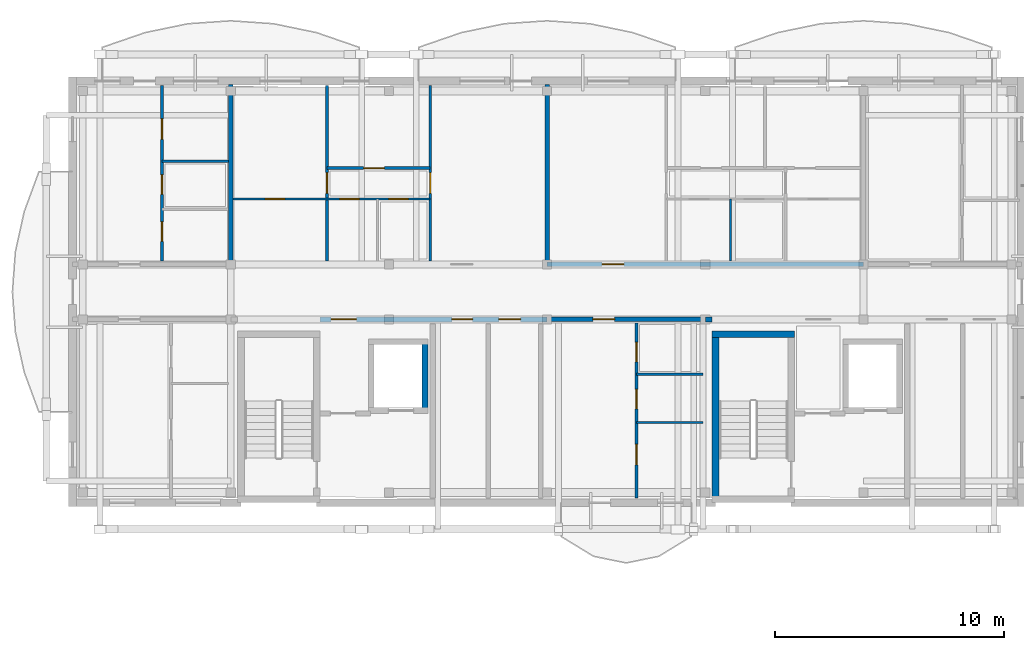
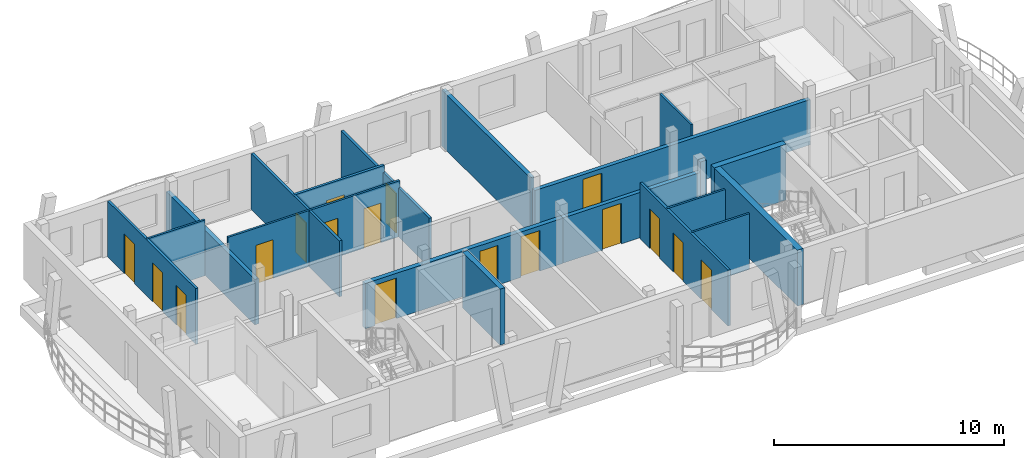
# One storey, part 20 of 41: 19 walls, 17 doors, 17 openings.
"""IFC4 building model written with IfcOpenShell, lengths in metres."""

from ifc_helpers import new_model, si_unit, direction, frame, frame_2d, origin, origin_with_axes, place, context, subcontext, project, spatial, rectangle, extrude, material, layer, layer_set, type_object, element, fill, save


model = new_model("IFC4")

# Units and contexts
model_context = context("Model", 3, precision=1e-05, world=origin(), true_north=direction((0.0, 1.0)))
body_context = subcontext(model_context, "Body", "Model", "MODEL_VIEW")
ifc_project = project(units=[si_unit("LENGTHUNIT", "METRE"), si_unit("AREAUNIT", "SQUARE_METRE"), si_unit("VOLUMEUNIT", "CUBIC_METRE"), si_unit("PLANEANGLEUNIT", "RADIAN"), si_unit("MASSUNIT", "GRAM", prefix="KILO")], contexts=[model_context])

# Site, building, storey
site_placement = place(None, origin())
site = spatial("IfcSite", under=ifc_project, at=site_placement, CompositionType="ELEMENT")
building_placement = place(site_placement, origin())
building = spatial("IfcBuilding", under=site, at=building_placement, Name="Zavelmont Quarter", CompositionType="ELEMENT")
storey_placement = place(building_placement, frame((0.0, 0.0, 27.199951171875)))
storey = spatial("IfcBuildingStorey", under=building, at=storey_placement, Name="L08", CompositionType="ELEMENT", Elevation=27.199951171875)

# Walls
ifc_material_1 = material(Name="Calcium-silicate blockwork and acoustic plaster", Category="masonry")
ifc_layer_1 = layer(ifc_material_1, 0.199951171875)
ifc_layer_set_1 = layer_set([ifc_layer_1], Name="Calcium-silicate blockwork and acoustic plaster")
wall_type_1 = type_object("IfcWallType", Name="IW01", PredefinedType="PARTITIONING", material=ifc_layer_set_1)
wall_1_placement = place(storey_placement, frame((6.89990234375, 108.14990234375, 0.0), z_axis=(0.0, 0.0, 1.0), x_axis=(0.0, 1.0, 0.0)))
element("IfcWall", 1, at=wall_1_placement, inside=storey, type_object=wall_type_1, Name="L08 Inter-dwelling compartment wall IW01", PredefinedType="PARTITIONING", context=body_context, shape_type="SweptSolid", body=[
    extrude(rectangle(XDim=7.7001953125, YDim=0.199951171875, at=frame_2d((3.85009765625, 0.0))), origin(), (0.0, 0.0, 1.0), 2.400146484375),
])
wall_2_placement = place(storey_placement, frame((20.699951171875, 108.14990234375, 0.0), z_axis=(0.0, 0.0, 1.0), x_axis=(0.0, 1.0, 0.0)))
element("IfcWall", 2, at=wall_2_placement, inside=storey, type_object=wall_type_1, Name="L08 Inter-dwelling compartment wall IW01", PredefinedType="PARTITIONING", context=body_context, shape_type="SweptSolid", body=[
    extrude(rectangle(XDim=7.7001953125, YDim=0.199951171875, at=frame_2d((3.85009765625, 0.0))), origin(), (0.0, 0.0, 1.0), 2.9599609375),
])

# Wall, opening, door
wall_3_placement = place(storey_placement, frame((20.699951171875, 108.0, 0.0), z_axis=(0.0, 0.0, 1.0), x_axis=(1.0, 0.0, 0.0)))
wall_3 = element("IfcWall", 3, at=wall_3_placement, inside=storey, type_object=wall_type_1, Name="L08 Corridor compartment wall IW01", PredefinedType="PARTITIONING", context=body_context, shape_type="SweptSolid", body=[
    extrude(rectangle(XDim=13.800048828125, YDim=0.199951171875, at=frame_2d((6.89990234375, 0.0))), origin(), (0.0, 0.0, 1.0), 2.400146484375),
])
opening_1_placement = place(wall_3_placement, frame((2.39990234375, 0.0, 0.0)))
opening_1 = element("IfcOpeningElement", 4, at=opening_1_placement, cuts=wall_3, Name="Opening DR02", PredefinedType="OPENING", context=body_context, shape_type="SweptSolid", body=[
    extrude(rectangle(XDim=0.949951171875, YDim=2.14990234375, at=frame_2d((0.47509765625, 1.074951171875))), frame((0.0, 0.11181640625, 0.0), z_axis=(0.0, -1.0, 0.0), x_axis=(1.0, 0.0, 0.0)), (0.0, 0.0, 1.0), 0.223876953125),
])
ifc_material_2 = material(Name="Solid-core oak fire leaf in steel frame", Category="steel")
door_type_1 = type_object("IfcDoorType", Name="DR02", OperationType="NOTDEFINED", PredefinedType="DOOR", material=ifc_material_2)
door_1_placement = place(opening_1_placement, origin_with_axes())
door_1 = element("IfcDoor", 5, at=door_1_placement, inside=storey, type_object=door_type_1, Name="L08 door DR02", OperationType="SINGLE_SWING_RIGHT", OverallHeight=2.14990234375, OverallWidth=0.949951171875, PredefinedType="DOOR", context=body_context, shape_type="SweptSolid", body=[
    extrude(rectangle(XDim=0.949951171875, YDim=2.14990234375, at=frame_2d((0.47509765625, 1.074951171875))), frame((0.0, 0.02490234375, 0.0), z_axis=(0.0, -1.0, 0.0), x_axis=(1.0, 0.0, 0.0)), (0.0, 0.0, 1.0), 0.050048828125),
])
fill(opening_1, door_1)

wall_4_placement = place(storey_placement, frame((20.699951171875, 105.60009765625, 0.0), z_axis=(0.0, 0.0, 1.0), x_axis=(1.0, 0.0, 0.0)))
wall_4 = element("IfcWall", 6, at=wall_4_placement, inside=storey, type_object=wall_type_1, Name="L08 Corridor compartment wall IW01", PredefinedType="PARTITIONING", context=body_context, shape_type="SweptSolid", body=[
    extrude(rectangle(XDim=6.900146484375, YDim=0.199951171875, at=frame_2d((3.4501953125, 0.0))), origin(), (0.0, 0.0, 1.0), 2.400146484375),
])
opening_2_placement = place(wall_4_placement, frame((2.0, 0.0, 0.0)))
opening_2 = element("IfcOpeningElement", 7, at=opening_2_placement, cuts=wall_4, Name="Opening DR02", PredefinedType="OPENING", context=body_context, shape_type="SweptSolid", body=[
    extrude(rectangle(XDim=0.949951171875, YDim=2.14990234375, at=frame_2d((0.47509765625, 1.074951171875))), frame((0.0, 0.11181640625, 0.0), z_axis=(0.0, -1.0, 0.0), x_axis=(1.0, 0.0, 0.0)), (0.0, 0.0, 1.0), 0.223876953125),
])
door_2_placement = place(opening_2_placement, frame((0.949951171875, 0.0, 0.0), z_axis=(0.0, 0.0, 1.0), x_axis=(-1.0, 0.0, 0.0)))
door_2 = element("IfcDoor", 8, at=door_2_placement, inside=storey, type_object=door_type_1, Name="L08 door DR02", OperationType="SINGLE_SWING_RIGHT", OverallHeight=2.14990234375, OverallWidth=0.949951171875, PredefinedType="DOOR", context=body_context, shape_type="SweptSolid", body=[
    extrude(rectangle(XDim=0.949951171875, YDim=2.14990234375, at=frame_2d((0.47509765625, 1.074951171875))), frame((0.0, 0.02490234375, 0.0), z_axis=(0.0, -1.0, 0.0), x_axis=(1.0, 0.0, 0.0)), (0.0, 0.0, 1.0), 0.050048828125),
])
fill(opening_2, door_2)

# Wall, openings, doors
ifc_material_3 = material(Name="Reinforced masonry fire compartment wall", Category="masonry")
ifc_layer_2 = layer(ifc_material_3, 0.22509765625)
ifc_layer_set_2 = layer_set([ifc_layer_2], Name="Reinforced masonry fire compartment wall")
wall_type_2 = type_object("IfcWallType", Name="IW02", PredefinedType="PARTITIONING", material=ifc_layer_set_2)
wall_5_placement = place(storey_placement, frame((10.800048828125, 105.60009765625, 0.0), z_axis=(0.0, 0.0, 1.0), x_axis=(1.0, 0.0, 0.0)))
wall_5 = element("IfcWall", 9, at=wall_5_placement, inside=storey, type_object=wall_type_2, Name="L08 Core corridor fire wall IW02", PredefinedType="PARTITIONING", context=body_context, shape_type="SweptSolid", body=[
    extrude(rectangle(XDim=9.89990234375, YDim=0.22509765625, at=frame_2d((4.949951171875, 0.0))), origin(), (0.0, 0.0, 1.0), 2.400146484375),
])
opening_3_placement = place(wall_5_placement, frame((0.47509765625, 0.0, 0.0)))
opening_3 = element("IfcOpeningElement", 10, at=opening_3_placement, cuts=wall_5, Name="Opening DR10", PredefinedType="OPENING", context=body_context, shape_type="SweptSolid", body=[
    extrude(rectangle(XDim=1.10009765625, YDim=2.14990234375, at=frame_2d((0.550048828125, 1.074951171875))), frame((0.0, 0.12451171875, 0.0), z_axis=(0.0, -1.0, 0.0), x_axis=(1.0, 0.0, 0.0)), (0.0, 0.0, 1.0), 0.2490234375),
])
opening_4_placement = place(wall_5_placement, frame((5.75, 0.0, 0.0)))
opening_4 = element("IfcOpeningElement", 11, at=opening_4_placement, cuts=wall_5, Name="Opening DR11", PredefinedType="OPENING", context=body_context, shape_type="SweptSolid", body=[
    extrude(rectangle(XDim=0.89990234375, YDim=2.10009765625, at=frame_2d((0.449951171875, 1.050048828125))), frame((0.0, 0.12451171875, 0.0), z_axis=(0.0, -1.0, 0.0), x_axis=(1.0, 0.0, 0.0)), (0.0, 0.0, 1.0), 0.2490234375),
])
opening_5_placement = place(wall_5_placement, frame((7.800048828125, 0.0, 0.0)))
opening_5 = element("IfcOpeningElement", 12, at=opening_5_placement, cuts=wall_5, Name="Opening DR02", PredefinedType="OPENING", context=body_context, shape_type="SweptSolid", body=[
    extrude(rectangle(XDim=0.949951171875, YDim=2.14990234375, at=frame_2d((0.47509765625, 1.074951171875))), frame((0.0, 0.12451171875, 0.0), z_axis=(0.0, -1.0, 0.0), x_axis=(1.0, 0.0, 0.0)), (0.0, 0.0, 1.0), 0.2490234375),
])
door_3_placement = place(opening_5_placement, origin_with_axes())
door_3 = element("IfcDoor", 13, at=door_3_placement, inside=storey, type_object=door_type_1, Name="Auxiliary store corridor door", OperationType="SINGLE_SWING_RIGHT", OverallHeight=2.14990234375, OverallWidth=0.949951171875, PredefinedType="DOOR", context=body_context, shape_type="SweptSolid", body=[
    extrude(rectangle(XDim=0.949951171875, YDim=2.14990234375, at=frame_2d((0.47509765625, 1.074951171875))), frame((0.0, 0.02490234375, 0.0), z_axis=(0.0, -1.0, 0.0), x_axis=(1.0, 0.0, 0.0)), (0.0, 0.0, 1.0), 0.050048828125),
])
fill(opening_5, door_3)
ifc_material_4 = material(Name="Painted steel lobby fire door", Category="steel")
door_type_2 = type_object("IfcDoorType", Name="DR10", OperationType="NOTDEFINED", PredefinedType="DOOR", material=ifc_material_4)
door_4_placement = place(opening_3_placement, frame((1.10009765625, 0.0, 0.0), z_axis=(0.0, 0.0, 1.0), x_axis=(-1.0, 0.0, 0.0)))
door_4 = element("IfcDoor", 14, at=door_4_placement, inside=storey, type_object=door_type_2, Name="Core vestibule fire door", OperationType="SINGLE_SWING_LEFT", OverallHeight=2.14990234375, OverallWidth=1.10009765625, PredefinedType="DOOR", context=body_context, shape_type="SweptSolid", body=[
    extrude(rectangle(XDim=1.10009765625, YDim=2.14990234375, at=frame_2d((0.550048828125, 1.074951171875))), frame((0.0, 0.02490234375, 0.0), z_axis=(0.0, -1.0, 0.0), x_axis=(1.0, 0.0, 0.0)), (0.0, 0.0, 1.0), 0.050048828125),
])
fill(opening_3, door_4)
ifc_material_5 = material(Name="Painted steel service-riser fire door", Category="steel")
door_type_3 = type_object("IfcDoorType", Name="DR11", OperationType="NOTDEFINED", PredefinedType="DOOR", material=ifc_material_5)
door_5_placement = place(opening_4_placement, origin_with_axes())
door_5 = element("IfcDoor", 15, at=door_5_placement, inside=storey, type_object=door_type_3, Name="Service riser fire door", OperationType="SINGLE_SWING_LEFT", OverallHeight=2.10009765625, OverallWidth=0.89990234375, PredefinedType="DOOR", context=body_context, shape_type="SweptSolid", body=[
    extrude(rectangle(XDim=0.89990234375, YDim=2.10009765625, at=frame_2d((0.449951171875, 1.050048828125))), frame((0.0, 0.02490234375, 0.0), z_axis=(0.0, -1.0, 0.0), x_axis=(1.0, 0.0, 0.0)), (0.0, 0.0, 1.0), 0.050048828125),
])
fill(opening_4, door_5)

# Wall
wall_6_placement = place(storey_placement, frame((27.60009765625, 105.60009765625, 0.0), z_axis=(0.0, 0.0, 1.0), x_axis=(1.0, 0.0, 0.0)))
element("IfcWall", 16, at=wall_6_placement, inside=storey, type_object=wall_type_2, Name="L08 Core corridor wall IW02", PredefinedType="PARTITIONING", context=body_context, shape_type="SweptSolid", body=[
    extrude(rectangle(XDim=0.2998046875, YDim=0.22509765625, at=frame_2d((0.14990234375, 0.0))), origin(), (0.0, 0.0, 1.0), 2.9599609375),
])

# Wall, openings, doors
ifc_material_6 = material(Name="Double gypsum board on acoustic steel stud", Category="steel")
ifc_layer_3 = layer(ifc_material_6, 0.125)
ifc_layer_set_3 = layer_set([ifc_layer_3], Name="Double gypsum board on acoustic steel stud")
wall_type_3 = type_object("IfcWallType", Name="IW03", PredefinedType="PARTITIONING", material=ifc_layer_set_3)
wall_7_placement = place(storey_placement, frame((3.89990234375, 108.14990234375, 0.0), z_axis=(0.0, 0.0, 1.0), x_axis=(0.0, 1.0, 0.0)))
wall_7 = element("IfcWall", 17, at=wall_7_placement, inside=storey, type_object=wall_type_3, Name="L08 Partition IW03", PredefinedType="PARTITIONING", context=body_context, shape_type="SweptSolid", body=[
    extrude(rectangle(XDim=7.650146484375, YDim=0.125, at=frame_2d((3.8251953125, 0.0))), origin(), (0.0, 0.0, 1.0), 2.9599609375),
])
opening_6_placement = place(wall_7_placement, frame((0.85009765625, 0.0, 0.0)))
opening_6 = element("IfcOpeningElement", 18, at=opening_6_placement, cuts=wall_7, Name="Opening DR16", PredefinedType="OPENING", context=body_context, shape_type="SweptSolid", body=[
    extrude(rectangle(XDim=0.85009765625, YDim=2.10009765625, at=frame_2d((0.425048828125, 1.050048828125))), frame((0.0, 0.074462890625, 0.0), z_axis=(0.0, -1.0, 0.0), x_axis=(1.0, 0.0, 0.0)), (0.0, 0.0, 1.0), 0.14892578125),
])
opening_7_placement = place(wall_7_placement, frame((2.89990234375, 0.0, 0.0)))
opening_7 = element("IfcOpeningElement", 19, at=opening_7_placement, cuts=wall_7, Name="Opening DR06", PredefinedType="OPENING", context=body_context, shape_type="SweptSolid", body=[
    extrude(rectangle(XDim=0.85009765625, YDim=2.050048828125, at=frame_2d((0.425048828125, 1.02490234375))), frame((0.0, 0.074462890625, 0.0), z_axis=(0.0, -1.0, 0.0), x_axis=(1.0, 0.0, 0.0)), (0.0, 0.0, 1.0), 0.14892578125),
])
opening_8_placement = place(wall_7_placement, frame((5.300048828125, 0.0, 0.0)))
opening_8 = element("IfcOpeningElement", 20, at=opening_8_placement, cuts=wall_7, Name="Opening DR05", PredefinedType="OPENING", context=body_context, shape_type="SweptSolid", body=[
    extrude(rectangle(XDim=0.89990234375, YDim=2.10009765625, at=frame_2d((0.449951171875, 1.050048828125))), frame((0.0, 0.074462890625, 0.0), z_axis=(0.0, -1.0, 0.0), x_axis=(1.0, 0.0, 0.0)), (0.0, 0.0, 1.0), 0.14892578125),
])
ifc_material_7 = material(Name="Engineered oak flush interior door")
door_type_4 = type_object("IfcDoorType", Name="DR05", OperationType="NOTDEFINED", PredefinedType="DOOR", material=ifc_material_7)
door_6_placement = place(opening_8_placement, frame((0.89990234375, 0.0, 0.0), z_axis=(0.0, 0.0, 1.0), x_axis=(-1.0, 0.0, 0.0)))
door_6 = element("IfcDoor", 21, at=door_6_placement, inside=storey, type_object=door_type_4, Name="L08 door DR05", OperationType="SINGLE_SWING_LEFT", OverallHeight=2.10009765625, OverallWidth=0.89990234375, PredefinedType="DOOR", context=body_context, shape_type="SweptSolid", body=[
    extrude(rectangle(XDim=0.89990234375, YDim=2.10009765625, at=frame_2d((0.449951171875, 1.050048828125))), frame((0.0, 0.02490234375, 0.0), z_axis=(0.0, -1.0, 0.0), x_axis=(1.0, 0.0, 0.0)), (0.0, 0.0, 1.0), 0.050048828125),
])
fill(opening_8, door_6)
ifc_material_8 = material(Name="Moisture-resistant painted wet-room door")
door_type_5 = type_object("IfcDoorType", Name="DR06", OperationType="NOTDEFINED", PredefinedType="DOOR", material=ifc_material_8)
door_7_placement = place(opening_7_placement, origin_with_axes())
door_7 = element("IfcDoor", 22, at=door_7_placement, inside=storey, type_object=door_type_5, Name="L08 door DR06", OperationType="SINGLE_SWING_RIGHT", OverallHeight=2.050048828125, OverallWidth=0.85009765625, PredefinedType="DOOR", context=body_context, shape_type="SweptSolid", body=[
    extrude(rectangle(XDim=0.85009765625, YDim=2.050048828125, at=frame_2d((0.425048828125, 1.02490234375))), frame((0.0, 0.02490234375, 0.0), z_axis=(0.0, -1.0, 0.0), x_axis=(1.0, 0.0, 0.0)), (0.0, 0.0, 1.0), 0.050048828125),
])
fill(opening_7, door_7)
door_type_6 = type_object("IfcDoorType", Name="DR16", OperationType="NOTDEFINED", PredefinedType="DOOR", material=ifc_material_7)
door_8_placement = place(opening_6_placement, frame((0.85009765625, 0.0, 0.0), z_axis=(0.0, 0.0, 1.0), x_axis=(-1.0, 0.0, 0.0)))
door_8 = element("IfcDoor", 23, at=door_8_placement, inside=storey, type_object=door_type_6, Name="L08 door DR16", OperationType="SINGLE_SWING_LEFT", OverallHeight=2.10009765625, OverallWidth=0.85009765625, PredefinedType="DOOR", context=body_context, shape_type="SweptSolid", body=[
    extrude(rectangle(XDim=0.85009765625, YDim=2.10009765625, at=frame_2d((0.425048828125, 1.050048828125))), frame((0.0, 0.02490234375, 0.0), z_axis=(0.0, -1.0, 0.0), x_axis=(1.0, 0.0, 0.0)), (0.0, 0.0, 1.0), 0.050048828125),
])
fill(opening_6, door_8)

# Wall, opening, door
wall_8_placement = place(storey_placement, frame((15.60009765625, 108.14990234375, 0.0), z_axis=(0.0, 0.0, 1.0), x_axis=(0.0, 1.0, 0.0)))
wall_8 = element("IfcWall", 24, at=wall_8_placement, inside=storey, type_object=wall_type_3, Name="L08 Partition IW03", PredefinedType="PARTITIONING", context=body_context, shape_type="SweptSolid", body=[
    extrude(rectangle(XDim=7.650146484375, YDim=0.125, at=frame_2d((3.8251953125, 0.0))), origin(), (0.0, 0.0, 1.0), 2.590087890625),
])
opening_9_placement = place(wall_8_placement, frame((2.949951171875, 0.0, 0.0)))
opening_9 = element("IfcOpeningElement", 25, at=opening_9_placement, cuts=wall_8, Name="Opening DR05", PredefinedType="OPENING", context=body_context, shape_type="SweptSolid", body=[
    extrude(rectangle(XDim=0.89990234375, YDim=2.10009765625, at=frame_2d((0.449951171875, 1.050048828125))), frame((0.0, 0.074462890625, 0.0), z_axis=(0.0, -1.0, 0.0), x_axis=(1.0, 0.0, 0.0)), (0.0, 0.0, 1.0), 0.14892578125),
])
door_9_placement = place(opening_9_placement, frame((0.89990234375, 0.0, 0.0), z_axis=(0.0, 0.0, 1.0), x_axis=(-1.0, 0.0, 0.0)))
door_9 = element("IfcDoor", 26, at=door_9_placement, inside=storey, type_object=door_type_4, Name="L08 door DR05", OperationType="SINGLE_SWING_RIGHT", OverallHeight=2.10009765625, OverallWidth=0.89990234375, PredefinedType="DOOR", context=body_context, shape_type="SweptSolid", body=[
    extrude(rectangle(XDim=0.89990234375, YDim=2.10009765625, at=frame_2d((0.449951171875, 1.050048828125))), frame((0.0, 0.02490234375, 0.0), z_axis=(0.0, -1.0, 0.0), x_axis=(1.0, 0.0, 0.0)), (0.0, 0.0, 1.0), 0.050048828125),
])
fill(opening_9, door_9)

wall_9_placement = place(storey_placement, frame((11.10009765625, 108.14990234375, 0.0), z_axis=(0.0, 0.0, 1.0), x_axis=(0.0, 1.0, 0.0)))
wall_9 = element("IfcWall", 27, at=wall_9_placement, inside=storey, type_object=wall_type_3, Name="L08 Partition IW03", PredefinedType="PARTITIONING", context=body_context, shape_type="SweptSolid", body=[
    extrude(rectangle(XDim=7.650146484375, YDim=0.125, at=frame_2d((3.8251953125, 0.0))), origin(), (0.0, 0.0, 1.0), 2.9599609375),
])
opening_10_placement = place(wall_9_placement, frame((2.949951171875, 0.0, 0.0)))
opening_10 = element("IfcOpeningElement", 28, at=opening_10_placement, cuts=wall_9, Name="Opening DR05", PredefinedType="OPENING", context=body_context, shape_type="SweptSolid", body=[
    extrude(rectangle(XDim=0.89990234375, YDim=2.10009765625, at=frame_2d((0.449951171875, 1.050048828125))), frame((0.0, 0.074462890625, 0.0), z_axis=(0.0, -1.0, 0.0), x_axis=(1.0, 0.0, 0.0)), (0.0, 0.0, 1.0), 0.14892578125),
])
door_10_placement = place(opening_10_placement, origin_with_axes())
door_10 = element("IfcDoor", 29, at=door_10_placement, inside=storey, type_object=door_type_4, Name="L08 door DR05", OperationType="SINGLE_SWING_LEFT", OverallHeight=2.10009765625, OverallWidth=0.89990234375, PredefinedType="DOOR", context=body_context, shape_type="SweptSolid", body=[
    extrude(rectangle(XDim=0.89990234375, YDim=2.10009765625, at=frame_2d((0.449951171875, 1.050048828125))), frame((0.0, 0.02490234375, 0.0), z_axis=(0.0, -1.0, 0.0), x_axis=(1.0, 0.0, 0.0)), (0.0, 0.0, 1.0), 0.050048828125),
])
fill(opening_10, door_10)

wall_10_placement = place(storey_placement, frame((11.10009765625, 112.199951171875, 0.0), z_axis=(0.0, 0.0, 1.0), x_axis=(1.0, 0.0, 0.0)))
wall_10 = element("IfcWall", 30, at=wall_10_placement, inside=storey, type_object=wall_type_3, Name="L08 Partition IW03", PredefinedType="PARTITIONING", context=body_context, shape_type="SweptSolid", body=[
    extrude(rectangle(XDim=4.5, YDim=0.125, at=frame_2d((2.25, 0.0))), origin(), (0.0, 0.0, 1.0), 2.9599609375),
])
opening_11_placement = place(wall_10_placement, frame((1.60009765625, 0.0, 0.0)))
opening_11 = element("IfcOpeningElement", 31, at=opening_11_placement, cuts=wall_10, Name="Opening DR05", PredefinedType="OPENING", context=body_context, shape_type="SweptSolid", body=[
    extrude(rectangle(XDim=0.89990234375, YDim=2.10009765625, at=frame_2d((0.449951171875, 1.050048828125))), frame((0.0, 0.074462890625, 0.0), z_axis=(0.0, -1.0, 0.0), x_axis=(1.0, 0.0, 0.0)), (0.0, 0.0, 1.0), 0.14892578125),
])
door_11_placement = place(opening_11_placement, origin_with_axes())
door_11 = element("IfcDoor", 32, at=door_11_placement, inside=storey, type_object=door_type_4, Name="L08 door DR05", OperationType="SINGLE_SWING_LEFT", OverallHeight=2.10009765625, OverallWidth=0.89990234375, PredefinedType="DOOR", context=body_context, shape_type="SweptSolid", body=[
    extrude(rectangle(XDim=0.89990234375, YDim=2.10009765625, at=frame_2d((0.449951171875, 1.050048828125))), frame((0.0, 0.02490234375, 0.0), z_axis=(0.0, -1.0, 0.0), x_axis=(1.0, 0.0, 0.0)), (0.0, 0.0, 1.0), 0.050048828125),
])
fill(opening_11, door_11)

# Wall, openings, doors
wall_11_placement = place(storey_placement, frame((24.60009765625, 105.449951171875, 0.0), z_axis=(0.0, 0.0, 1.0), x_axis=(0.0, -1.0, 0.0)))
wall_11 = element("IfcWall", 33, at=wall_11_placement, inside=storey, type_object=wall_type_3, Name="L08 Partition IW03", PredefinedType="PARTITIONING", context=body_context, shape_type="SweptSolid", body=[
    extrude(rectangle(XDim=7.64990234375, YDim=0.125, at=frame_2d((3.824951171875, 0.0))), origin(), (0.0, 0.0, 1.0), 2.9599609375),
])
opening_12_placement = place(wall_11_placement, frame((0.85009765625, 0.0, 0.0)))
opening_12 = element("IfcOpeningElement", 34, at=opening_12_placement, cuts=wall_11, Name="Opening DR16", PredefinedType="OPENING", context=body_context, shape_type="SweptSolid", body=[
    extrude(rectangle(XDim=0.85009765625, YDim=2.10009765625, at=frame_2d((0.425048828125, 1.050048828125))), frame((0.0, 0.074462890625, 0.0), z_axis=(0.0, -1.0, 0.0), x_axis=(1.0, 0.0, 0.0)), (0.0, 0.0, 1.0), 0.14892578125),
])
opening_13_placement = place(wall_11_placement, frame((2.89990234375, 0.0, 0.0)))
opening_13 = element("IfcOpeningElement", 35, at=opening_13_placement, cuts=wall_11, Name="Opening DR06", PredefinedType="OPENING", context=body_context, shape_type="SweptSolid", body=[
    extrude(rectangle(XDim=0.85009765625, YDim=2.050048828125, at=frame_2d((0.425048828125, 1.02490234375))), frame((0.0, 0.074462890625, 0.0), z_axis=(0.0, -1.0, 0.0), x_axis=(1.0, 0.0, 0.0)), (0.0, 0.0, 1.0), 0.14892578125),
])
opening_14_placement = place(wall_11_placement, frame((5.300048828125, 0.0, 0.0)))
opening_14 = element("IfcOpeningElement", 36, at=opening_14_placement, cuts=wall_11, Name="Opening DR05", PredefinedType="OPENING", context=body_context, shape_type="SweptSolid", body=[
    extrude(rectangle(XDim=0.89990234375, YDim=2.10009765625, at=frame_2d((0.449951171875, 1.050048828125))), frame((0.0, 0.074462890625, 0.0), z_axis=(0.0, -1.0, 0.0), x_axis=(1.0, 0.0, 0.0)), (0.0, 0.0, 1.0), 0.14892578125),
])
door_12_placement = place(opening_14_placement, origin_with_axes())
door_12 = element("IfcDoor", 37, at=door_12_placement, inside=storey, type_object=door_type_4, Name="L08 door DR05", OperationType="SINGLE_SWING_RIGHT", OverallHeight=2.10009765625, OverallWidth=0.89990234375, PredefinedType="DOOR", context=body_context, shape_type="SweptSolid", body=[
    extrude(rectangle(XDim=0.89990234375, YDim=2.10009765625, at=frame_2d((0.449951171875, 1.050048828125))), frame((0.0, 0.02490234375, 0.0), z_axis=(0.0, -1.0, 0.0), x_axis=(1.0, 0.0, 0.0)), (0.0, 0.0, 1.0), 0.050048828125),
])
fill(opening_14, door_12)
door_13_placement = place(opening_13_placement, frame((0.85009765625, 0.0, 0.0), z_axis=(0.0, 0.0, 1.0), x_axis=(-1.0, 0.0, 0.0)))
door_13 = element("IfcDoor", 38, at=door_13_placement, inside=storey, type_object=door_type_5, Name="L08 door DR06", OperationType="SINGLE_SWING_LEFT", OverallHeight=2.050048828125, OverallWidth=0.85009765625, PredefinedType="DOOR", context=body_context, shape_type="SweptSolid", body=[
    extrude(rectangle(XDim=0.85009765625, YDim=2.050048828125, at=frame_2d((0.425048828125, 1.02490234375))), frame((0.0, 0.02490234375, 0.0), z_axis=(0.0, -1.0, 0.0), x_axis=(1.0, 0.0, 0.0)), (0.0, 0.0, 1.0), 0.050048828125),
])
fill(opening_13, door_13)
door_14_placement = place(opening_12_placement, origin_with_axes())
door_14 = element("IfcDoor", 39, at=door_14_placement, inside=storey, type_object=door_type_6, Name="L08 door DR16", OperationType="SINGLE_SWING_RIGHT", OverallHeight=2.10009765625, OverallWidth=0.85009765625, PredefinedType="DOOR", context=body_context, shape_type="SweptSolid", body=[
    extrude(rectangle(XDim=0.85009765625, YDim=2.10009765625, at=frame_2d((0.425048828125, 1.050048828125))), frame((0.0, 0.02490234375, 0.0), z_axis=(0.0, -1.0, 0.0), x_axis=(1.0, 0.0, 0.0)), (0.0, 0.0, 1.0), 0.050048828125),
])
fill(opening_12, door_14)

# Wall
ifc_material_9 = material(Name="Moisture-resistant gypsum board on steel stud", Category="steel")
ifc_layer_4 = layer(ifc_material_9, 0.10009765625)
ifc_layer_set_4 = layer_set([ifc_layer_4], Name="Moisture-resistant gypsum board on steel stud")
wall_type_4 = type_object("IfcWallType", Name="IW04", PredefinedType="PARTITIONING", material=ifc_layer_set_4)
wall_12_placement = place(storey_placement, frame((3.89990234375, 112.5, 0.0), z_axis=(0.0, 0.0, 1.0), x_axis=(1.0, 0.0, 0.0)))
element("IfcWall", 40, at=wall_12_placement, inside=storey, type_object=wall_type_4, Name="L08 Partition IW04", PredefinedType="PARTITIONING", context=body_context, shape_type="SweptSolid", body=[
    extrude(rectangle(XDim=2.900146484375, YDim=0.10009765625, at=frame_2d((1.4501953125, 0.0))), origin(), (0.0, 0.0, 1.0), 2.9599609375),
])

# Wall, openings, doors
wall_13_placement = place(storey_placement, frame((7.0, 110.85009765625, 0.0), z_axis=(0.0, 0.0, 1.0), x_axis=(1.0, 0.0, 0.0)))
wall_13 = element("IfcWall", 41, at=wall_13_placement, inside=storey, type_object=wall_type_4, Name="L08 Partition IW04", PredefinedType="PARTITIONING", context=body_context, shape_type="SweptSolid", body=[
    extrude(rectangle(XDim=8.60009765625, YDim=0.10009765625, at=frame_2d((4.300048828125, 0.0))), origin(), (0.0, 0.0, 1.0), 2.9599609375),
])
opening_15_placement = place(wall_13_placement, frame((1.39990234375, 0.0, 0.0)))
opening_15 = element("IfcOpeningElement", 42, at=opening_15_placement, cuts=wall_13, Name="Opening DR06", PredefinedType="OPENING", context=body_context, shape_type="SweptSolid", body=[
    extrude(rectangle(XDim=0.85009765625, YDim=2.050048828125, at=frame_2d((0.425048828125, 1.02490234375))), frame((0.0, 0.06201171875, 0.0), z_axis=(0.0, -1.0, 0.0), x_axis=(1.0, 0.0, 0.0)), (0.0, 0.0, 1.0), 0.1240234375),
])
opening_16_placement = place(wall_13_placement, frame((4.64990234375, 0.0, 0.0)))
opening_16 = element("IfcOpeningElement", 43, at=opening_16_placement, cuts=wall_13, Name="Opening DR06", PredefinedType="OPENING", context=body_context, shape_type="SweptSolid", body=[
    extrude(rectangle(XDim=0.85009765625, YDim=2.050048828125, at=frame_2d((0.425048828125, 1.02490234375))), frame((0.0, 0.06201171875, 0.0), z_axis=(0.0, -1.0, 0.0), x_axis=(1.0, 0.0, 0.0)), (0.0, 0.0, 1.0), 0.1240234375),
])
opening_17_placement = place(wall_13_placement, frame((6.800048828125, 0.0, 0.0)))
opening_17 = element("IfcOpeningElement", 44, at=opening_17_placement, cuts=wall_13, Name="Opening DR16", PredefinedType="OPENING", context=body_context, shape_type="SweptSolid", body=[
    extrude(rectangle(XDim=0.85009765625, YDim=2.10009765625, at=frame_2d((0.425048828125, 1.050048828125))), frame((0.0, 0.06201171875, 0.0), z_axis=(0.0, -1.0, 0.0), x_axis=(1.0, 0.0, 0.0)), (0.0, 0.0, 1.0), 0.1240234375),
])
door_15_placement = place(opening_15_placement, frame((0.85009765625, 0.0, 0.0), z_axis=(0.0, 0.0, 1.0), x_axis=(-1.0, 0.0, 0.0)))
door_15 = element("IfcDoor", 45, at=door_15_placement, inside=storey, type_object=door_type_5, Name="L08 door DR06", OperationType="SINGLE_SWING_RIGHT", OverallHeight=2.050048828125, OverallWidth=0.85009765625, PredefinedType="DOOR", context=body_context, shape_type="SweptSolid", body=[
    extrude(rectangle(XDim=0.85009765625, YDim=2.050048828125, at=frame_2d((0.425048828125, 1.02490234375))), frame((0.0, 0.02490234375, 0.0), z_axis=(0.0, -1.0, 0.0), x_axis=(1.0, 0.0, 0.0)), (0.0, 0.0, 1.0), 0.050048828125),
])
fill(opening_15, door_15)
door_16_placement = place(opening_16_placement, origin_with_axes())
door_16 = element("IfcDoor", 46, at=door_16_placement, inside=storey, type_object=door_type_5, Name="L08 door DR06", OperationType="SINGLE_SWING_LEFT", OverallHeight=2.050048828125, OverallWidth=0.85009765625, PredefinedType="DOOR", context=body_context, shape_type="SweptSolid", body=[
    extrude(rectangle(XDim=0.85009765625, YDim=2.050048828125, at=frame_2d((0.425048828125, 1.02490234375))), frame((0.0, 0.02490234375, 0.0), z_axis=(0.0, -1.0, 0.0), x_axis=(1.0, 0.0, 0.0)), (0.0, 0.0, 1.0), 0.050048828125),
])
fill(opening_16, door_16)
door_17_placement = place(opening_17_placement, frame((0.85009765625, 0.0, 0.0), z_axis=(0.0, 0.0, 1.0), x_axis=(-1.0, 0.0, 0.0)))
door_17 = element("IfcDoor", 47, at=door_17_placement, inside=storey, type_object=door_type_6, Name="L08 door DR16", OperationType="SINGLE_SWING_RIGHT", OverallHeight=2.10009765625, OverallWidth=0.85009765625, PredefinedType="DOOR", context=body_context, shape_type="SweptSolid", body=[
    extrude(rectangle(XDim=0.85009765625, YDim=2.10009765625, at=frame_2d((0.425048828125, 1.050048828125))), frame((0.0, 0.02490234375, 0.0), z_axis=(0.0, -1.0, 0.0), x_axis=(1.0, 0.0, 0.0)), (0.0, 0.0, 1.0), 0.050048828125),
])
fill(opening_17, door_17)

# Walls
wall_14_placement = place(storey_placement, frame((28.699951171875, 108.14990234375, 0.0), z_axis=(0.0, 0.0, 1.0), x_axis=(0.0, 1.0, 0.0)))
element("IfcWall", 48, at=wall_14_placement, inside=storey, type_object=wall_type_4, Name="L08 Partition IW04", PredefinedType="PARTITIONING", context=body_context, shape_type="SweptSolid", body=[
    extrude(rectangle(XDim=2.7001953125, YDim=0.10009765625, at=frame_2d((1.35009765625, 0.0))), origin(), (0.0, 0.0, 1.0), 2.9599609375),
])
for number, where, z_axis, x_axis, name in (
    (49, (24.60009765625, 103.199951171875, 0.0), (0.0, 0.0, 1.0), (1.0, 0.0, 0.0), "L08 Partition IW04"),
    (50, (24.60009765625, 101.10009765625, 0.0), (0.0, 0.0, 1.0), (1.0, 0.0, 0.0), "L08 Partition IW04"),
):
    element("IfcWall", number, at=place(storey_placement, frame(where, z_axis=z_axis, x_axis=x_axis)), inside=storey, type_object=wall_type_4, Name=name, PredefinedType="PARTITIONING", context=body_context, shape_type="SweptSolid", body=[
        extrude(rectangle(XDim=2.89990234375, YDim=0.10009765625, at=frame_2d((1.449951171875, 0.0))), origin(), (0.0, 0.0, 1.0), 2.9599609375),
    ])
ifc_material_10 = material(Name="Concrete C40/50", Category="concrete")
ifc_layer_5 = layer(ifc_material_10, 0.300048828125)
ifc_layer_set_5 = layer_set([ifc_layer_5], Name="Concrete C40/50")
wall_type_5 = type_object("IfcWallType", Name="SW01", PredefinedType="SHEAR", material=ifc_layer_set_5)
wall_15_placement = place(storey_placement, frame((27.89990234375, 104.949951171875, 0.0), z_axis=(0.0, 0.0, 1.0), x_axis=(1.0, 0.0, 0.0)))
element("IfcWall", 51, at=wall_15_placement, inside=storey, type_object=wall_type_5, Name="L08 ST04 corridor shear wall SW01", PredefinedType="SHEAR", context=body_context, shape_type="SweptSolid", body=[
    extrude(rectangle(XDim=3.60009765625, YDim=0.300048828125, at=frame_2d((1.800048828125, 0.0))), origin(), (0.0, 0.0, 1.0), 2.9599609375),
])
wall_16_placement = place(storey_placement, frame((28.050048828125, 97.60009765625, 0.0), z_axis=(0.0, 0.0, 1.0), x_axis=(0.0, 1.0, 0.0)))
element("IfcWall", 52, at=wall_16_placement, inside=storey, type_object=wall_type_5, Name="L08 ST04 west shear wall SW01", PredefinedType="SHEAR", context=body_context, shape_type="SweptSolid", body=[
    extrude(rectangle(XDim=7.5, YDim=0.300048828125, at=frame_2d((3.75, 0.0))), origin(), (0.0, 0.0, 1.0), 2.9599609375),
])
ifc_layer_6 = layer(ifc_material_10, 0.25)
ifc_layer_set_6 = layer_set([ifc_layer_6], Name="Concrete C40/50")
wall_type_6 = type_object("IfcWallType", Name="SW02", PredefinedType="SHEAR", material=ifc_layer_set_6)
wall_17_placement = place(storey_placement, frame((15.375, 101.5, 0.0), z_axis=(0.0, 0.0, 1.0), x_axis=(0.0, 1.0, 0.0)))
element("IfcWall", 53, at=wall_17_placement, inside=storey, type_object=wall_type_6, Name="L08 Lift FL02 east shaft wall SW02", PredefinedType="SHEAR", context=body_context, shape_type="SweptSolid", body=[
    extrude(rectangle(XDim=3.25, YDim=0.25, at=frame_2d((1.625, 0.0))), origin(), (0.0, 0.0, 1.0), 2.9599609375),
])

save(model, "model.ifc")
